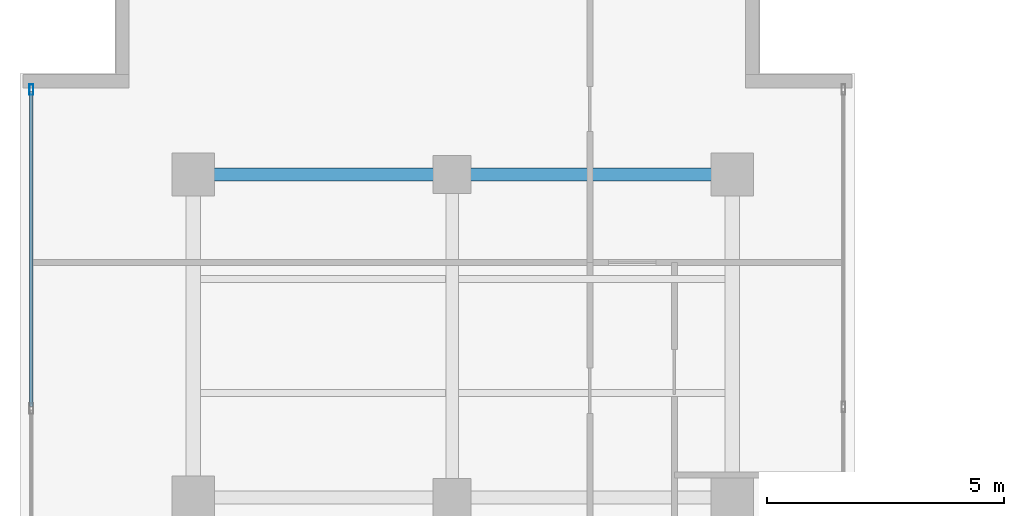
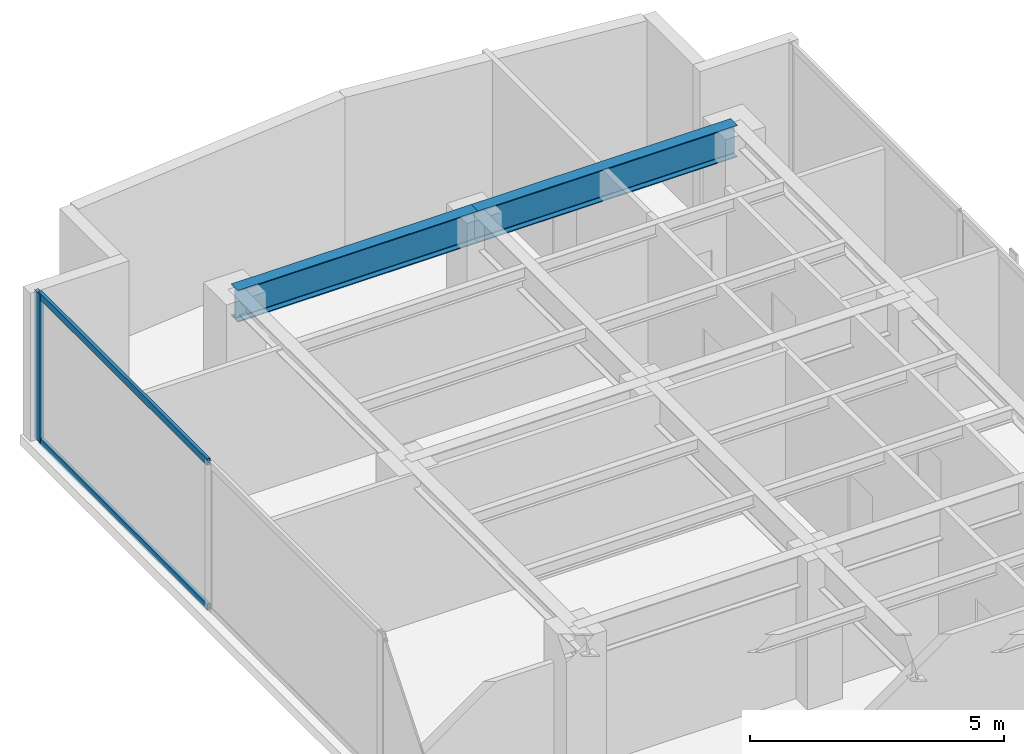
# One storey, part 14 of 23: 3 members, 2 beams, 1 element without a shape of its own.
"""IFC4 building model written with IfcOpenShell, lengths in metres."""

from ifc_helpers import new_model, si_unit, direction, frame, origin, origin_with_axes, origin_2d, place, context, subcontext, project, spatial, hollow_rectangle, i_section, extrude, source, transform, mapped, material, layer, layer_set, material_profile, profile_set, type_object, element, aggregate, save


model = new_model("IFC4")

# Units and contexts
model_context = context("Model", 3, precision=1e-05, world=origin(), true_north=direction((0.0, 1.0)))
body_context = subcontext(model_context, "Body", "Model", "MODEL_VIEW")
ifc_project = project(units=[si_unit("LENGTHUNIT", "METRE"), si_unit("AREAUNIT", "SQUARE_METRE"), si_unit("VOLUMEUNIT", "CUBIC_METRE"), si_unit("PLANEANGLEUNIT", "RADIAN"), si_unit("MASSUNIT", "GRAM", prefix="KILO")], contexts=[model_context])

# Site, building, storey
site_placement = place(None, origin())
site = spatial("IfcSite", under=ifc_project, at=site_placement, CompositionType="ELEMENT")
building_placement = place(site_placement, origin())
building = spatial("IfcBuilding", under=site, at=building_placement, Name="Kolvaren Waterfront Exchange", CompositionType="ELEMENT")
storey_placement = place(building_placement, frame((0.0, 0.0, 270.39990234375)))
storey = spatial("IfcBuildingStorey", under=building, at=storey_placement, Name="L69", CompositionType="ELEMENT", Elevation=270.39990234375)

# Beams
ifc_material_1 = material(Name="Steel S355", Category="steel")
ifc_material_profile_1 = material_profile(ifc_material_1, i_section(OverallWidth=0.26708984375, OverallDepth=0.761962890625, WebThickness=0.014404296875, FlangeThickness=0.021484375, FilletRadius=0.01708984375, at=origin_2d()), Name="IPE750x173")
ifc_profile_set_1 = profile_set([ifc_material_profile_1], Name="Steel S355")
beam_type = type_object("IfcBeamType", Name="STR-BM-IPE750", PredefinedType="BEAM", material=ifc_profile_set_1)
beam_1_placement = place(storey_placement, frame((7.449951171875, 44.60009765625, 3.17919921875), z_axis=(1.0, 0.0, 0.0), x_axis=(0.0, 1.0, 0.0)))
element("IfcBeam", 1, at=beam_1_placement, inside=storey, type_object=beam_type, Name="L69 north-arm girder 4A", PredefinedType="BEAM", context=body_context, shape_type="SweptSolid", body=[
    extrude(i_section(OverallWidth=0.26708984375, OverallDepth=0.761962890625, WebThickness=0.014404296875, FlangeThickness=0.021484375, FilletRadius=0.01708984375, at=origin_2d()), origin(), (0.0, 0.0, 1.0), 5.449951171875),
])
beam_2_placement = place(storey_placement, frame((12.89990234375, 44.60009765625, 3.17919921875), z_axis=(1.0, 0.0, 0.0), x_axis=(0.0, 1.0, 0.0)))
element("IfcBeam", 2, at=beam_2_placement, inside=storey, type_object=beam_type, Name="L69 north-arm girder 4B", PredefinedType="BEAM", context=body_context, shape_type="SweptSolid", body=[
    extrude(i_section(OverallWidth=0.26708984375, OverallDepth=0.761962890625, WebThickness=0.014404296875, FlangeThickness=0.021484375, FilletRadius=0.01708984375, at=origin_2d()), origin(), (0.0, 0.0, 1.0), 5.900146484375),
])

# Curtain wall, members
ifc_material_2 = material(Name="Anodised aluminium 6063-T6", Category="aluminium")
ifc_layer = layer(ifc_material_2, 0.219970703125, Name="Anodised aluminium 6063-T6")
ifc_layer_set = layer_set([ifc_layer], Name="Anodised aluminium 6063-T6")
curtain_wall_type = type_object("IfcCurtainWallType", Name="ARC-CW-SYS2", PredefinedType="USERDEFINED", material=ifc_layer_set)
curtain_wall_placement = place(storey_placement, origin())
curtain_wall = element("IfcCurtainWall", 3, at=curtain_wall_placement, inside=storey, type_object=curtain_wall_type, Name="L69 stick curtain wall CW2 (CW-L69-W)", ObjectType="STICK CURTAIN WALL", PredefinedType="USERDEFINED")
ifc_material_profile_2 = material_profile(ifc_material_2, hollow_rectangle(XDim=0.080078125, YDim=0.219970703125, WallThickness=0.0048828125, at=origin_2d()), Name="ALU-MUL-220x80x5")
ifc_profile_set_2 = profile_set([ifc_material_profile_2], Name="Anodised aluminium 6063-T6")
member_type_1 = type_object("IfcMemberType", Name="ARC-CWM-220", PredefinedType="MULLION", material=ifc_profile_set_2)
shared_shape_1 = source(origin_with_axes(), body_context, "Body", "SweptSolid", [
    extrude(hollow_rectangle(XDim=0.080078125, YDim=0.219970703125, WallThickness=0.0048828125, at=origin_2d()), origin(), (0.0, 0.0, 1.0), 3.56005859375),
])
member_1_placement = place(storey_placement, frame((4.0400390625, 46.38623046875, 0.0), z_axis=(0.0, 0.0, 1.0), x_axis=(-1.0, 0.0, 0.0)))
member_1 = element("IfcMember", 4, at=member_1_placement, type_object=member_type_1, Name="CW2 mullion 7", PredefinedType="MULLION", context=body_context, shape_type="MappedRepresentation", body=[
    mapped(shared_shape_1, transform((0.0, 0.0, 0.0), x_axis=(1.0, 0.0, 0.0), y_axis=(0.0, 1.0, 0.0), z_axis=(0.0, 0.0, 1.0), scale=1.0)),
])
ifc_material_profile_3 = material_profile(ifc_material_2, hollow_rectangle(XDim=0.074951171875, YDim=0.159912109375, WallThickness=0.00439453125, at=origin_2d()), Name="ALU-TRN-160x75x4.5")
ifc_profile_set_3 = profile_set([ifc_material_profile_3], Name="Anodised aluminium 6063-T6")
member_type_2 = type_object("IfcMemberType", Name="ARC-CWT-160", PredefinedType="USERDEFINED", material=ifc_profile_set_3)
shared_shape_2 = source(origin_with_axes(), body_context, "Body", "SweptSolid", [
    extrude(hollow_rectangle(XDim=0.074951171875, YDim=0.159912109375, WallThickness=0.00439453125, at=origin_2d()), origin(), (0.0, 0.0, 1.0), 6.63427734375),
])
member_2_placement = place(storey_placement, frame((4.0400390625, 39.7119140625, 0.03759765625), z_axis=(0.0, 1.0, 0.0), x_axis=(-1.0, 0.0, 0.0)))
member_2 = element("IfcMember", 5, at=member_2_placement, type_object=member_type_2, Name="CW2 transom 6.1", ObjectType="TRANSOM", PredefinedType="USERDEFINED", context=body_context, shape_type="MappedRepresentation", body=[
    mapped(shared_shape_2, transform((0.0, 0.0, 0.0), x_axis=(1.0, 0.0, 0.0), y_axis=(0.0, 1.0, 0.0), z_axis=(0.0, 0.0, 1.0), scale=1.0)),
])
member_3_placement = place(storey_placement, frame((4.0400390625, 39.7119140625, 3.522705078125), z_axis=(0.0, 1.0, 0.0), x_axis=(-1.0, 0.0, 0.0)))
member_3 = element("IfcMember", 6, at=member_3_placement, type_object=member_type_2, Name="CW2 transom 6.2", ObjectType="TRANSOM", PredefinedType="USERDEFINED", context=body_context, shape_type="MappedRepresentation", body=[
    mapped(shared_shape_2, transform((0.0, 0.0, 0.0), x_axis=(1.0, 0.0, 0.0), y_axis=(0.0, 1.0, 0.0), z_axis=(0.0, 0.0, 1.0), scale=1.0)),
])
aggregate(curtain_wall, [member_1, member_2, member_3])

save(model, "model.ifc")
